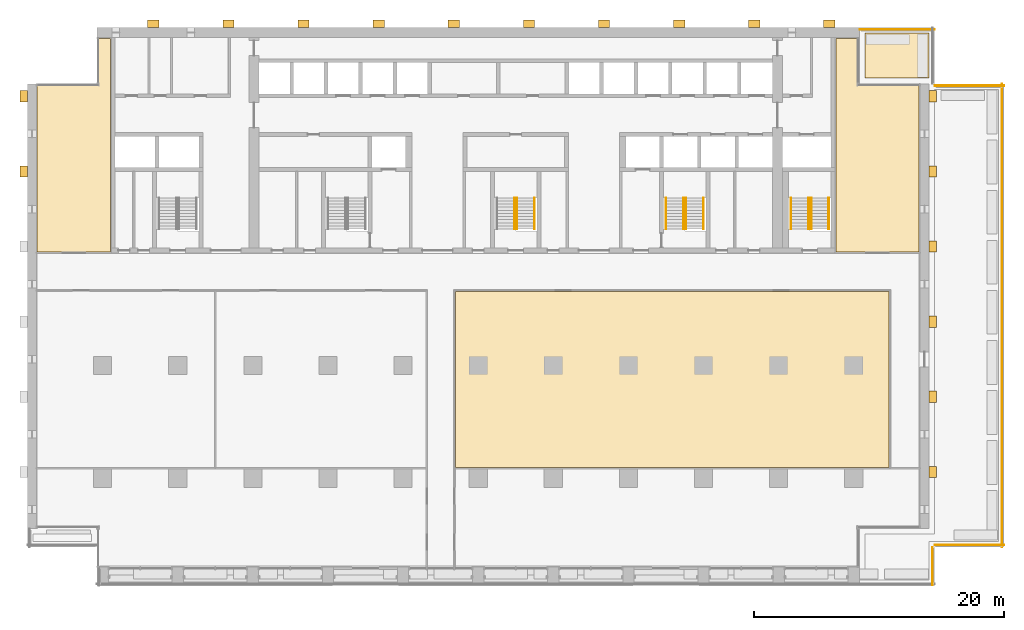
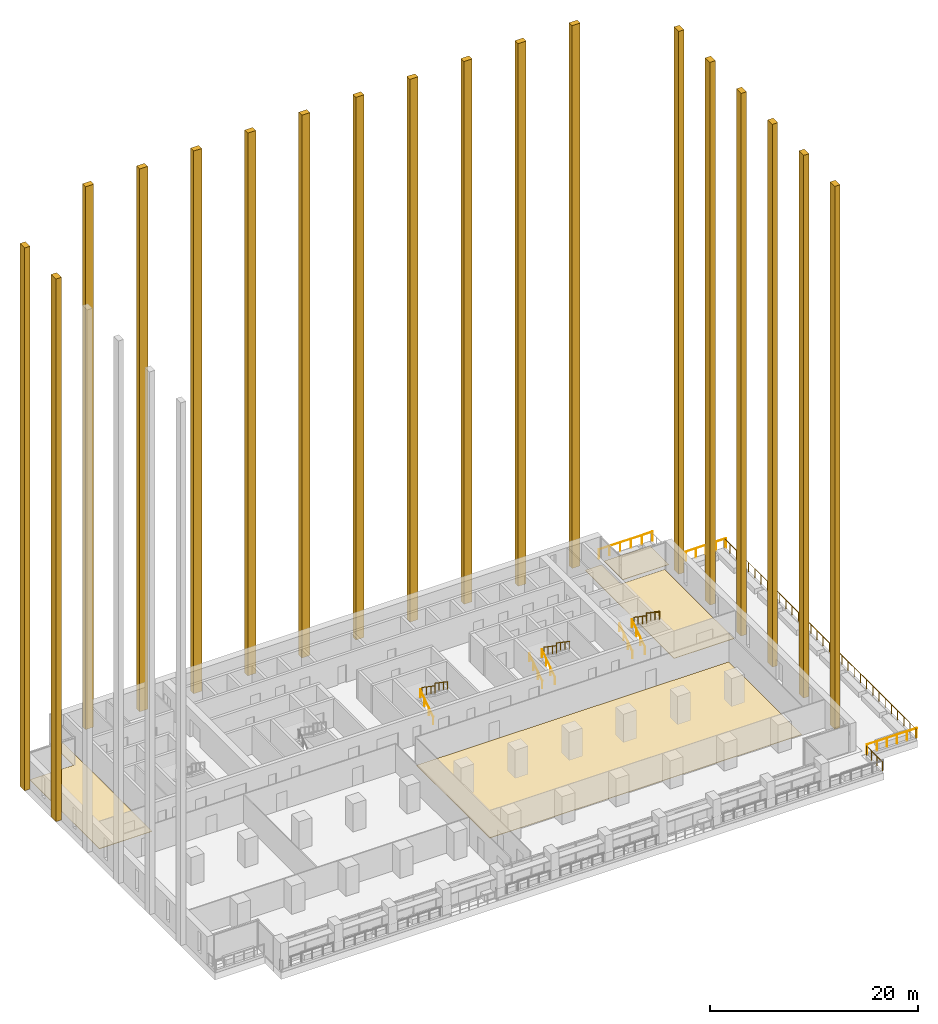
# One storey, part 16 of 18: 22 coverings, 16 railings, 3 elements without a shape of their own.
"""IFC4 building model written with IfcOpenShell, lengths in metres."""

import ifcopenshell
import ifcopenshell.guid

model = None  # the IFC model being written
_history = None  # IfcOwnerHistory: only IFC2X3 demands one
_inside = {}  # id of a spatial element -> (the spatial element, [elements in it])
_under = {}  # id of a project, library or spatial element -> (it, [spatial elements below it])
_declared = {}  # id of a project -> (the project, [libraries it declares])
_typed = {}  # id of a type object -> (the type object, [elements of that type])
_made_of = {}  # id of a material, layer set ... -> (it, [elements and type objects made of it])


def new_model(schema):
    """Start an empty IFC model of exactly this schema.

    Asked for "IFC4X3", IfcOpenShell would pick the latest addendum, in which some entities
    have other attributes; the version numbers below select the first issue.
    IFC2X3 requires an IfcOwnerHistory on every rooted entity: one is made here for all.
    """
    global model, _history
    if schema == "IFC4X3":
        model = ifcopenshell.file(schema_version=(4, 3, 0, 0))
    else:
        model = ifcopenshell.file(schema=schema)
    _inside.clear()
    _under.clear()
    _declared.clear()
    _typed.clear()
    _made_of.clear()
    _history = None
    if model.schema == "IFC2X3":
        org = make("IfcOrganization", Name="unknown")
        user = make(
            "IfcPersonAndOrganization",
            ThePerson=make("IfcPerson", FamilyName="unknown"),
            TheOrganization=org,
        )
        app = make(
            "IfcApplication",
            ApplicationDeveloper=org,
            Version="unknown",
            ApplicationFullName="unknown",
            ApplicationIdentifier="unknown",
        )
        _history = make(
            "IfcOwnerHistory",
            OwningUser=user,
            OwningApplication=app,
            ChangeAction="ADDED",
            CreationDate=0,
        )
    return model


def make(cls, **values):
    """One entity of the class cls with the attributes given. An attribute that is None is left unset."""
    return model.create_entity(
        cls, **{name: value for name, value in values.items() if value is not None}
    )


def rooted(cls, **values):
    """An entity with a GlobalId (a new one), such as an element, a storey or a relation."""
    return make(cls, GlobalId=ifcopenshell.guid.new(), OwnerHistory=_history, **values)


def si_unit(unit_type, name, prefix=None):
    """IfcSIUnit, for example si_unit("LENGTHUNIT", "METRE", prefix="MILLI")."""
    return make("IfcSIUnit", UnitType=unit_type, Prefix=prefix, Name=name)


def assignment(units):
    """IfcUnitAssignment: the units of a project."""
    return None if units is None else make("IfcUnitAssignment", Units=units)


def point(xyz):
    """IfcCartesianPoint."""
    return None if xyz is None else make("IfcCartesianPoint", Coordinates=xyz)


def direction(xyz):
    """IfcDirection."""
    return None if xyz is None else make("IfcDirection", DirectionRatios=xyz)


def frame(location, z_axis=None, x_axis=None):
    """IfcAxis2Placement3D, a coordinate frame: its origin and axes. An axis left out is left unset."""
    return make(
        "IfcAxis2Placement3D",
        Location=point(location),
        Axis=direction(z_axis),
        RefDirection=direction(x_axis),
    )


def frame_2d(location, x_axis=None):
    """IfcAxis2Placement2D, a coordinate frame in the plane: its origin and x axis."""
    return make(
        "IfcAxis2Placement2D", Location=point(location), RefDirection=direction(x_axis)
    )


def origin():
    """The frame at (0, 0, 0) with its axes left unset."""
    return frame((0.0, 0.0, 0.0))


def origin_2d():
    """The frame at (0, 0) in the plane with its x axis left unset."""
    return frame_2d((0.0, 0.0))


def place(relative_to, where):
    """IfcLocalPlacement: puts the frame where relative to a parent placement (None: the world)."""
    return make(
        "IfcLocalPlacement", PlacementRelTo=relative_to, RelativePlacement=where
    )


def context(
    kind, dimensions, precision=None, world=None, true_north=None, identifier=None
):
    """IfcGeometricRepresentationContext, for example the 3D "Model" context."""
    return make(
        "IfcGeometricRepresentationContext",
        ContextIdentifier=identifier,
        ContextType=kind,
        CoordinateSpaceDimension=dimensions,
        Precision=precision,
        WorldCoordinateSystem=world,
        TrueNorth=true_north,
    )


def subcontext(parent, identifier, kind, view, scale=None):
    """IfcGeometricRepresentationSubContext, for example "Body" below "Model"."""
    return make(
        "IfcGeometricRepresentationSubContext",
        ContextIdentifier=identifier,
        ContextType=kind,
        ParentContext=parent,
        TargetScale=scale,
        TargetView=view,
    )


def project(units=None, contexts=None):
    """IfcProject with its units and contexts."""
    return rooted(
        "IfcProject",
        Name="project",
        RepresentationContexts=contexts,
        UnitsInContext=assignment(units),
    )


def spatial(cls, under=None, at=None, **own):
    """A site, building, storey or space (cls), placed at a placement, below another one or the project."""
    s = rooted(cls, ObjectPlacement=at, **own)
    if under is not None:
        _under.setdefault(under.id(), (under, []))[1].append(s)
    return s


def polyline(points):
    """IfcPolyline through the points."""
    return make("IfcPolyline", Points=[point(p) for p in points])


def profile(cls, at=None, kind="AREA", **sizes):
    """A parametric profile (cls). Its sizes go by their IFC names, for example OverallWidth=200.0."""
    return make(cls, ProfileType=kind, Position=at, **sizes)


def circle(**sizes):
    """IfcCircleProfileDef."""
    return profile("IfcCircleProfileDef", **sizes)


def outline(outer, holes=None, kind="AREA"):
    """IfcArbitraryClosedProfileDef: a profile drawn as a closed curve; with holes, ...WithVoids."""
    if holes is None:
        return make("IfcArbitraryClosedProfileDef", ProfileType=kind, OuterCurve=outer)
    return make(
        "IfcArbitraryProfileDefWithVoids",
        ProfileType=kind,
        OuterCurve=outer,
        InnerCurves=holes,
    )


def extrude(swept, where, along, depth):
    """IfcExtrudedAreaSolid: the profile swept, set in the frame where, extruded along a direction by depth."""
    return make(
        "IfcExtrudedAreaSolid",
        SweptArea=swept,
        Position=where,
        ExtrudedDirection=direction(along),
        Depth=depth,
    )


def shape(context_of_items, identifier, shape_type, items):
    """IfcShapeRepresentation: the items that make up one representation, for example the "Body"."""
    return make(
        "IfcShapeRepresentation",
        ContextOfItems=context_of_items,
        RepresentationIdentifier=identifier,
        RepresentationType=shape_type,
        Items=items,
    )


def material(Name=None, Category=None):
    """IfcMaterial."""
    return make("IfcMaterial", Name=Name, Category=Category)


def layer(
    of_material, thickness, ventilated=None, Name=None, Category=None, Priority=None
):
    """IfcMaterialLayer: one layer of a wall or slab, of a material (None: an air gap)."""
    return make(
        "IfcMaterialLayer",
        Material=of_material,
        LayerThickness=thickness,
        IsVentilated=ventilated,
        Name=Name,
        Category=Category,
        Priority=Priority,
    )


def layer_set(layers, Name=None):
    """IfcMaterialLayerSet."""
    return make("IfcMaterialLayerSet", MaterialLayers=layers, LayerSetName=Name)


def made_of(thing, what):
    """Note that an element or type object is made of a material, layer set ...; save() writes the relation."""
    if what is not None:
        _made_of.setdefault(what.id(), (what, []))[1].append(thing)
    return thing


def type_object(cls, material=None, **own):
    """A type object (cls), such as IfcWallType, which elements share."""
    return made_of(rooted(cls, **own), material)


def element(
    cls,
    number,
    at=None,
    inside=None,
    cuts=None,
    type_object=None,
    material=None,
    context=None,
    identifier="Body",
    shape_type=None,
    held_by="IfcProductDefinitionShape",
    body=None,
    shapes=None,
    **own,
):
    """One element of the class cls, such as IfcWall. Its Tag is "e" and its number.

    at: its placement. inside: the storey or other place that contains it. cuts: it is an
    opening in that element (IfcRelVoidsElement). A single representation is given by context,
    identifier, shape_type and body (its items); several are given by shapes. held_by: the class
    of the entity that holds the representations. save() writes the other relations.
    """
    e = rooted(cls, Tag="e%d" % number, ObjectPlacement=at, **own)
    if body is not None:
        shapes = [shape(context, identifier, shape_type, body)]
    if shapes is not None:
        e.Representation = make(held_by, Representations=shapes)
    if inside is not None:
        _inside.setdefault(inside.id(), (inside, []))[1].append(e)
    if cuts is not None:
        rooted(
            "IfcRelVoidsElement", RelatingBuildingElement=cuts, RelatedOpeningElement=e
        )
    if type_object is not None:
        _typed.setdefault(type_object.id(), (type_object, []))[1].append(e)
    return made_of(e, material)


def aggregate(whole, parts):
    """IfcRelAggregates: a whole, such as a stair, and the parts it consists of."""
    return rooted("IfcRelAggregates", RelatingObject=whole, RelatedObjects=parts)


def save(model, path):
    """Write the relations noted so far, then the file.

    IfcRelAggregates (storeys below a building ...), IfcRelContainedInSpatialStructure (elements
    in a storey), IfcRelDefinesByType, IfcRelAssociatesMaterial and IfcRelDeclares: one each for
    every whole, place, type object, material and project.
    """
    for whole, parts in _under.values():
        aggregate(whole, parts)
    for where, things in _inside.values():
        rooted(
            "IfcRelContainedInSpatialStructure",
            RelatedElements=things,
            RelatingStructure=where,
        )
    for kind, things in _typed.values():
        rooted("IfcRelDefinesByType", RelatedObjects=things, RelatingType=kind)
    for what, things in _made_of.values():
        rooted("IfcRelAssociatesMaterial", RelatedObjects=things, RelatingMaterial=what)
    for by, libraries in _declared.values():
        rooted("IfcRelDeclares", RelatingContext=by, RelatedDefinitions=libraries)
    model.write(path)


model = new_model("IFC4")

# Units and contexts
model_context = context("Model", 3, precision=1e-05, world=origin(), true_north=direction((0.0, 1.0)))
body_context = subcontext(model_context, "Body", "Model", "MODEL_VIEW")
ifc_project = project(units=[si_unit("LENGTHUNIT", "METRE"), si_unit("AREAUNIT", "SQUARE_METRE"), si_unit("VOLUMEUNIT", "CUBIC_METRE"), si_unit("PLANEANGLEUNIT", "RADIAN"), si_unit("MASSUNIT", "GRAM", prefix="KILO")], contexts=[model_context])

# Site, building, storey
site_placement = place(None, origin())
site = spatial("IfcSite", under=ifc_project, at=site_placement, CompositionType="ELEMENT")
building_placement = place(site_placement, origin())
building = spatial("IfcBuilding", under=site, at=building_placement, Name="Calvaro Tower", CompositionType="ELEMENT")
storey_placement = place(building_placement, frame((0.0, 0.0, 95.0)))
storey = spatial("IfcBuildingStorey", under=building, at=storey_placement, Name="L23", CompositionType="ELEMENT", Elevation=95.0)

# Coverings
ifc_material_1 = material(Name="Cement screed with carpet tile finish")
ifc_layer_1 = layer(ifc_material_1, 0.050048828125)
ifc_layer_set_1 = layer_set([ifc_layer_1], Name="Cement screed with carpet tile finish")
covering_type_1 = type_object("IfcCoveringType", Name="Floor finish 50", PredefinedType="FLOORING", material=ifc_layer_set_1)
covering_1_placement = place(storey_placement, origin())
element("IfcCovering", 1, at=covering_1_placement, inside=storey, type_object=covering_type_1, Name="Floor finish 41.06", PredefinedType="FLOORING", context=body_context, shape_type="SweptSolid", body=[
    extrude(outline(polyline([(68.830078125, 24.929931640625), (68.830078125, 10.8701171875), (34.169921875, 10.8701171875), (34.169921875, 24.929931640625), (68.830078125, 24.929931640625)])), origin(), (0.0, 0.0, 1.0), 0.050048828125),
])
covering_2_placement = place(storey_placement, origin())
element("IfcCovering", 2, at=covering_2_placement, inside=storey, type_object=covering_type_1, Name="Floor finish 41.07", PredefinedType="FLOORING", context=body_context, shape_type="SweptSolid", body=[
    extrude(outline(polyline([(5.6201171875, 41.429931640625), (5.6201171875, 45.1298828125), (6.6298828125, 45.1298828125), (6.6298828125, 28.070068359375), (0.77001953125, 28.070068359375), (0.77001953125, 41.429931640625), (5.6201171875, 41.429931640625)])), origin(), (0.0, 0.0, 1.0), 0.050048828125),
])
covering_3_placement = place(storey_placement, origin())
element("IfcCovering", 3, at=covering_3_placement, inside=storey, type_object=covering_type_1, Name="Floor finish 41.08", PredefinedType="FLOORING", context=body_context, shape_type="SweptSolid", body=[
    extrude(outline(polyline([(66.3798828125, 45.1298828125), (66.3798828125, 41.429931640625), (71.22998046875, 41.429931640625), (71.22998046875, 28.070068359375), (64.570068359375, 28.070068359375), (64.570068359375, 45.1298828125), (66.3798828125, 45.1298828125)])), origin(), (0.0, 0.0, 1.0), 0.050048828125),
])

# Railings
ifc_material_2 = material(Name="Stainless steel", Category="steel")
railing_type_1 = type_object("IfcRailingType", Name="Guard 1100", PredefinedType="GUARDRAIL", material=ifc_material_2)
railing_1_placement = place(storey_placement, frame((66.469970703125, 45.85009765625, 0.300048828125)))
element("IfcRailing", 4, at=railing_1_placement, inside=storey, type_object=railing_type_1, Name="Terrace guard", PredefinedType="GUARDRAIL", context=body_context, shape_type="SweptSolid", body=[
    extrude(circle(Radius=0.02392578125, at=origin_2d()), frame((0.0, 0.0, 1.076171875), z_axis=(1.0, 0.0, 0.0), x_axis=(0.0, 1.0, 0.0)), (0.0, 0.0, 1.0), 5.97998046875),
    extrude(circle(Radius=0.02099609375, at=origin_2d()), frame((0.02099609375, 0.0, 0.0)), (0.0, 0.0, 1.0), 1.052001953125),
    extrude(circle(Radius=0.02099609375, at=origin_2d()), frame((1.196044921875, 0.0, 0.0)), (0.0, 0.0, 1.0), 1.052001953125),
    extrude(circle(Radius=0.02099609375, at=origin_2d()), frame((2.39208984375, 0.0, 0.0)), (0.0, 0.0, 1.0), 1.052001953125),
    extrude(circle(Radius=0.02099609375, at=origin_2d()), frame((3.587890625, 0.0, 0.0)), (0.0, 0.0, 1.0), 1.052001953125),
    extrude(circle(Radius=0.02099609375, at=origin_2d()), frame((4.783935546875, 0.0, 0.0)), (0.0, 0.0, 1.0), 1.052001953125),
    extrude(circle(Radius=0.02099609375, at=origin_2d()), frame((5.958984375, 0.0, 0.0)), (0.0, 0.0, 1.0), 1.052001953125),
])
railing_2_placement = place(storey_placement, frame((72.449951171875, 41.35009765625, 0.300048828125)))
element("IfcRailing", 5, at=railing_2_placement, inside=storey, type_object=railing_type_1, Name="Terrace guard", PredefinedType="GUARDRAIL", context=body_context, shape_type="SweptSolid", body=[
    extrude(circle(Radius=0.02392578125, at=origin_2d()), frame((0.0, 0.0, 1.076171875), z_axis=(1.0, 0.0, 0.0), x_axis=(0.0, 1.0, 0.0)), (0.0, 0.0, 1.0), 5.550048828125),
    extrude(circle(Radius=0.02099609375, at=origin_2d()), frame((0.02099609375, 0.0, 0.0)), (0.0, 0.0, 1.0), 1.052001953125),
    extrude(circle(Radius=0.02099609375, at=origin_2d()), frame((1.110107421875, 0.0, 0.0)), (0.0, 0.0, 1.0), 1.052001953125),
    extrude(circle(Radius=0.02099609375, at=origin_2d()), frame((2.219970703125, 0.0, 0.0)), (0.0, 0.0, 1.0), 1.052001953125),
    extrude(circle(Radius=0.02099609375, at=origin_2d()), frame((3.330078125, 0.0, 0.0)), (0.0, 0.0, 1.0), 1.052001953125),
    extrude(circle(Radius=0.02099609375, at=origin_2d()), frame((4.43994140625, 0.0, 0.0)), (0.0, 0.0, 1.0), 1.052001953125),
    extrude(circle(Radius=0.02099609375, at=origin_2d()), frame((5.529052734375, 0.0, 0.0)), (0.0, 0.0, 1.0), 1.052001953125),
])
railing_3_placement = place(storey_placement, frame((77.85009765625, 41.5, 0.300048828125)))
element("IfcRailing", 6, at=railing_3_placement, inside=storey, type_object=railing_type_1, Name="Terrace guard", PredefinedType="GUARDRAIL", context=body_context, shape_type="SweptSolid", body=[
    extrude(circle(Radius=0.02392578125, at=origin_2d()), frame((0.0, 0.0, 1.076171875), z_axis=(0.0, -1.0, 0.0), x_axis=(1.0, 0.0, 0.0)), (0.0, 0.0, 1.0), 37.0),
    extrude(circle(Radius=0.02099609375, at=origin_2d()), frame((0.0, -0.02099609375, 0.0)), (0.0, 0.0, 1.0), 1.052001953125),
    extrude(circle(Radius=0.02099609375, at=origin_2d()), frame((0.0, -1.193603515625, 0.0)), (0.0, 0.0, 1.0), 1.052001953125),
    extrude(circle(Radius=0.02099609375, at=origin_2d()), frame((0.0, -2.38720703125, 0.0)), (0.0, 0.0, 1.0), 1.052001953125),
    extrude(circle(Radius=0.02099609375, at=origin_2d()), frame((0.0, -3.58056640625, 0.0)), (0.0, 0.0, 1.0), 1.052001953125),
    extrude(circle(Radius=0.02099609375, at=origin_2d()), frame((0.0, -4.774169921875, 0.0)), (0.0, 0.0, 1.0), 1.052001953125),
    extrude(circle(Radius=0.02099609375, at=origin_2d()), frame((0.0, -5.9677734375, 0.0)), (0.0, 0.0, 1.0), 1.052001953125),
    extrude(circle(Radius=0.02099609375, at=origin_2d()), frame((0.0, -7.161376953125, 0.0)), (0.0, 0.0, 1.0), 1.052001953125),
    extrude(circle(Radius=0.02099609375, at=origin_2d()), frame((0.0, -8.354736328125, 0.0)), (0.0, 0.0, 1.0), 1.052001953125),
    extrude(circle(Radius=0.02099609375, at=origin_2d()), frame((0.0, -9.54833984375, 0.0)), (0.0, 0.0, 1.0), 1.052001953125),
    extrude(circle(Radius=0.02099609375, at=origin_2d()), frame((0.0, -10.741943359375, 0.0)), (0.0, 0.0, 1.0), 1.052001953125),
    extrude(circle(Radius=0.02099609375, at=origin_2d()), frame((0.0, -11.935546875, 0.0)), (0.0, 0.0, 1.0), 1.052001953125),
    extrude(circle(Radius=0.02099609375, at=origin_2d()), frame((0.0, -13.129150390625, 0.0)), (0.0, 0.0, 1.0), 1.052001953125),
    extrude(circle(Radius=0.02099609375, at=origin_2d()), frame((0.0, -14.322509765625, 0.0)), (0.0, 0.0, 1.0), 1.052001953125),
    extrude(circle(Radius=0.02099609375, at=origin_2d()), frame((0.0, -15.51611328125, 0.0)), (0.0, 0.0, 1.0), 1.052001953125),
    extrude(circle(Radius=0.02099609375, at=origin_2d()), frame((0.0, -16.709716796875, 0.0)), (0.0, 0.0, 1.0), 1.052001953125),
    extrude(circle(Radius=0.02099609375, at=origin_2d()), frame((0.0, -17.9033203125, 0.0)), (0.0, 0.0, 1.0), 1.052001953125),
    extrude(circle(Radius=0.02099609375, at=origin_2d()), frame((0.0, -19.0966796875, 0.0)), (0.0, 0.0, 1.0), 1.052001953125),
    extrude(circle(Radius=0.02099609375, at=origin_2d()), frame((0.0, -20.290283203125, 0.0)), (0.0, 0.0, 1.0), 1.052001953125),
    extrude(circle(Radius=0.02099609375, at=origin_2d()), frame((0.0, -21.48388671875, 0.0)), (0.0, 0.0, 1.0), 1.052001953125),
    extrude(circle(Radius=0.02099609375, at=origin_2d()), frame((0.0, -22.677490234375, 0.0)), (0.0, 0.0, 1.0), 1.052001953125),
    extrude(circle(Radius=0.02099609375, at=origin_2d()), frame((0.0, -23.870849609375, 0.0)), (0.0, 0.0, 1.0), 1.052001953125),
    extrude(circle(Radius=0.02099609375, at=origin_2d()), frame((0.0, -25.064453125, 0.0)), (0.0, 0.0, 1.0), 1.052001953125),
    extrude(circle(Radius=0.02099609375, at=origin_2d()), frame((0.0, -26.258056640625, 0.0)), (0.0, 0.0, 1.0), 1.052001953125),
    extrude(circle(Radius=0.02099609375, at=origin_2d()), frame((0.0, -27.45166015625, 0.0)), (0.0, 0.0, 1.0), 1.052001953125),
    extrude(circle(Radius=0.02099609375, at=origin_2d()), frame((0.0, -28.645263671875, 0.0)), (0.0, 0.0, 1.0), 1.052001953125),
    extrude(circle(Radius=0.02099609375, at=origin_2d()), frame((0.0, -29.838623046875, 0.0)), (0.0, 0.0, 1.0), 1.052001953125),
    extrude(circle(Radius=0.02099609375, at=origin_2d()), frame((0.0, -31.0322265625, 0.0)), (0.0, 0.0, 1.0), 1.052001953125),
    extrude(circle(Radius=0.02099609375, at=origin_2d()), frame((0.0, -32.225830078125, 0.0)), (0.0, 0.0, 1.0), 1.052001953125),
    extrude(circle(Radius=0.02099609375, at=origin_2d()), frame((0.0, -33.41943359375, 0.0)), (0.0, 0.0, 1.0), 1.052001953125),
    extrude(circle(Radius=0.02099609375, at=origin_2d()), frame((0.0, -34.61279296875, 0.0)), (0.0, 0.0, 1.0), 1.052001953125),
    extrude(circle(Radius=0.02099609375, at=origin_2d()), frame((0.0, -35.806396484375, 0.0)), (0.0, 0.0, 1.0), 1.052001953125),
    extrude(circle(Radius=0.02099609375, at=origin_2d()), frame((0.0, -36.97900390625, 0.0)), (0.0, 0.0, 1.0), 1.052001953125),
])
railing_4_placement = place(storey_placement, frame((78.0, 4.64990234375, 0.300048828125)))
element("IfcRailing", 7, at=railing_4_placement, inside=storey, type_object=railing_type_1, Name="Terrace guard", PredefinedType="GUARDRAIL", context=body_context, shape_type="SweptSolid", body=[
    extrude(circle(Radius=0.02392578125, at=origin_2d()), frame((0.0, 0.0, 1.076171875), z_axis=(-1.0, 0.0, 0.0), x_axis=(0.0, -1.0, 0.0)), (0.0, 0.0, 1.0), 5.550048828125),
    extrude(circle(Radius=0.02099609375, at=origin_2d()), frame((-0.02099609375, 0.0, 0.0)), (0.0, 0.0, 1.0), 1.052001953125),
    extrude(circle(Radius=0.02099609375, at=origin_2d()), frame((-1.110107421875, 0.0, 0.0)), (0.0, 0.0, 1.0), 1.052001953125),
    extrude(circle(Radius=0.02099609375, at=origin_2d()), frame((-2.219970703125, 0.0, 0.0)), (0.0, 0.0, 1.0), 1.052001953125),
    extrude(circle(Radius=0.02099609375, at=origin_2d()), frame((-3.330078125, 0.0, 0.0)), (0.0, 0.0, 1.0), 1.052001953125),
    extrude(circle(Radius=0.02099609375, at=origin_2d()), frame((-4.43994140625, 0.0, 0.0)), (0.0, 0.0, 1.0), 1.052001953125),
    extrude(circle(Radius=0.02099609375, at=origin_2d()), frame((-5.529052734375, 0.0, 0.0)), (0.0, 0.0, 1.0), 1.052001953125),
])
railing_5_placement = place(storey_placement, frame((72.300048828125, 4.5, 0.300048828125)))
element("IfcRailing", 8, at=railing_5_placement, inside=storey, type_object=railing_type_1, Name="Terrace guard", PredefinedType="GUARDRAIL", context=body_context, shape_type="SweptSolid", body=[
    extrude(circle(Radius=0.02392578125, at=origin_2d()), frame((0.0, 0.0, 1.076171875), z_axis=(0.0, -1.0, 0.0), x_axis=(1.0, 0.0, 0.0)), (0.0, 0.0, 1.0), 3.10009765625),
    extrude(circle(Radius=0.02099609375, at=origin_2d()), frame((0.0, -0.02099609375, 0.0)), (0.0, 0.0, 1.0), 1.052001953125),
    extrude(circle(Radius=0.02099609375, at=origin_2d()), frame((0.0, -1.033447265625, 0.0)), (0.0, 0.0, 1.0), 1.052001953125),
    extrude(circle(Radius=0.02099609375, at=origin_2d()), frame((0.0, -2.066650390625, 0.0)), (0.0, 0.0, 1.0), 1.052001953125),
    extrude(circle(Radius=0.02099609375, at=origin_2d()), frame((0.0, -3.0791015625, 0.0)), (0.0, 0.0, 1.0), 1.052001953125),
])

# Stair, railings
ifc_material_3 = material(Name="Concrete C40/50", Category="concrete")
stair_type = type_object("IfcStairType", Name="Exit stair 1400 2 flights", PredefinedType="HALF_TURN_STAIR", material=ifc_material_3)
stair_1_placement = place(storey_placement, origin())
stair_1 = element("IfcStair", 9, at=stair_1_placement, inside=storey, type_object=stair_type, Name="Exit stair S3", PredefinedType="HALF_TURN_STAIR")
ifc_material_4 = material(Name="Stainless steel", Category="steel")
railing_type_2 = type_object("IfcRailingType", Name="Stair handrail", PredefinedType="HANDRAIL", material=ifc_material_4)
railing_6_placement = place(storey_placement, frame((38.89990234375, 29.89990234375, 0.17041015625)))
railing_6 = element("IfcRailing", 10, at=railing_6_placement, type_object=railing_type_2, Name="Exit stair 3 handrail", PredefinedType="HANDRAIL", context=body_context, shape_type="SweptSolid", body=[
    extrude(circle(Radius=0.02392578125, at=origin_2d()), frame((0.0, 0.0, 0.8759765625), z_axis=(0.0, 0.826220514629, 0.563346839174), x_axis=(-1.0, 0.0, 0.0)), (0.0, 0.0, 1.0), 3.02587890625),
    extrude(circle(Radius=0.02099609375, at=origin_2d()), frame((0.0, 0.017333984375, 0.01171875)), (0.0, 0.0, 1.0), 0.851806640625),
    extrude(circle(Radius=0.02099609375, at=origin_2d()), frame((0.0, 0.833251953125, 0.568115234375)), (0.0, 0.0, 1.0), 0.851806640625),
    extrude(circle(Radius=0.02099609375, at=origin_2d()), frame((0.0, 1.666748046875, 1.136474609375)), (0.0, 0.0, 1.0), 0.851806640625),
    extrude(circle(Radius=0.02099609375, at=origin_2d()), frame((0.0, 2.482666015625, 1.69287109375)), (0.0, 0.0, 1.0), 0.851806640625),
])
railing_7_placement = place(storey_placement, frame((39.10009765625, 32.39990234375, 2.04541015625)))
railing_7 = element("IfcRailing", 11, at=railing_7_placement, type_object=railing_type_2, Name="Exit stair 3 handrail", PredefinedType="HANDRAIL", context=body_context, shape_type="SweptSolid", body=[
    extrude(circle(Radius=0.02392578125, at=origin_2d()), frame((0.0, 0.0, 0.8759765625), z_axis=(0.0, -0.826220514629, 0.563346839174), x_axis=(1.0, 0.0, 0.0)), (0.0, 0.0, 1.0), 3.02587890625),
    extrude(circle(Radius=0.02099609375, at=origin_2d()), frame((0.0, -0.017333984375, 0.01171875)), (0.0, 0.0, 1.0), 0.851806640625),
    extrude(circle(Radius=0.02099609375, at=origin_2d()), frame((0.0, -0.833251953125, 0.568115234375)), (0.0, 0.0, 1.0), 0.851806640625),
    extrude(circle(Radius=0.02099609375, at=origin_2d()), frame((0.0, -1.666748046875, 1.136474609375)), (0.0, 0.0, 1.0), 0.851806640625),
    extrude(circle(Radius=0.02099609375, at=origin_2d()), frame((0.0, -2.482666015625, 1.69287109375)), (0.0, 0.0, 1.0), 0.851806640625),
])
railing_8_placement = place(storey_placement, frame((40.5, 32.39990234375, 2.04541015625)))
railing_8 = element("IfcRailing", 12, at=railing_8_placement, type_object=railing_type_2, Name="Exit stair 3 handrail", PredefinedType="HANDRAIL", context=body_context, shape_type="SweptSolid", body=[
    extrude(circle(Radius=0.02392578125, at=origin_2d()), frame((0.0, 0.0, 0.8759765625), z_axis=(0.0, -0.826220514629, 0.563346839174), x_axis=(1.0, 0.0, 0.0)), (0.0, 0.0, 1.0), 3.02587890625),
    extrude(circle(Radius=0.02099609375, at=origin_2d()), frame((0.0, -0.017333984375, 0.01171875)), (0.0, 0.0, 1.0), 0.851806640625),
    extrude(circle(Radius=0.02099609375, at=origin_2d()), frame((0.0, -0.833251953125, 0.568115234375)), (0.0, 0.0, 1.0), 0.851806640625),
    extrude(circle(Radius=0.02099609375, at=origin_2d()), frame((0.0, -1.666748046875, 1.136474609375)), (0.0, 0.0, 1.0), 0.851806640625),
    extrude(circle(Radius=0.02099609375, at=origin_2d()), frame((0.0, -2.482666015625, 1.69287109375)), (0.0, 0.0, 1.0), 0.851806640625),
])
aggregate(stair_1, [railing_6, railing_7, railing_8])

stair_2_placement = place(storey_placement, origin())
stair_2 = element("IfcStair", 13, at=stair_2_placement, inside=storey, type_object=stair_type, Name="Exit stair S4", PredefinedType="HALF_TURN_STAIR")
railing_9_placement = place(storey_placement, frame((52.39990234375, 29.89990234375, 0.17041015625)))
railing_9 = element("IfcRailing", 14, at=railing_9_placement, type_object=railing_type_2, Name="Exit stair 4 handrail", PredefinedType="HANDRAIL", context=body_context, shape_type="SweptSolid", body=[
    extrude(circle(Radius=0.02392578125, at=origin_2d()), frame((0.0, 0.0, 0.8759765625), z_axis=(0.0, 0.826220514629, 0.563346839174), x_axis=(-1.0, 0.0, 0.0)), (0.0, 0.0, 1.0), 3.02587890625),
    extrude(circle(Radius=0.02099609375, at=origin_2d()), frame((0.0, 0.017333984375, 0.01171875)), (0.0, 0.0, 1.0), 0.851806640625),
    extrude(circle(Radius=0.02099609375, at=origin_2d()), frame((0.0, 0.833251953125, 0.568115234375)), (0.0, 0.0, 1.0), 0.851806640625),
    extrude(circle(Radius=0.02099609375, at=origin_2d()), frame((0.0, 1.666748046875, 1.136474609375)), (0.0, 0.0, 1.0), 0.851806640625),
    extrude(circle(Radius=0.02099609375, at=origin_2d()), frame((0.0, 2.482666015625, 1.69287109375)), (0.0, 0.0, 1.0), 0.851806640625),
])
railing_10_placement = place(storey_placement, frame((51.0, 29.89990234375, 0.17041015625)))
railing_10 = element("IfcRailing", 15, at=railing_10_placement, type_object=railing_type_2, Name="Exit stair 4 handrail", PredefinedType="HANDRAIL", context=body_context, shape_type="SweptSolid", body=[
    extrude(circle(Radius=0.02392578125, at=origin_2d()), frame((0.0, 0.0, 0.8759765625), z_axis=(0.0, 0.826220514629, 0.563346839174), x_axis=(-1.0, 0.0, 0.0)), (0.0, 0.0, 1.0), 3.02587890625),
    extrude(circle(Radius=0.02099609375, at=origin_2d()), frame((0.0, 0.017333984375, 0.01171875)), (0.0, 0.0, 1.0), 0.851806640625),
    extrude(circle(Radius=0.02099609375, at=origin_2d()), frame((0.0, 0.833251953125, 0.568115234375)), (0.0, 0.0, 1.0), 0.851806640625),
    extrude(circle(Radius=0.02099609375, at=origin_2d()), frame((0.0, 1.666748046875, 1.136474609375)), (0.0, 0.0, 1.0), 0.851806640625),
    extrude(circle(Radius=0.02099609375, at=origin_2d()), frame((0.0, 2.482666015625, 1.69287109375)), (0.0, 0.0, 1.0), 0.851806640625),
])
railing_11_placement = place(storey_placement, frame((52.60009765625, 32.39990234375, 2.04541015625)))
railing_11 = element("IfcRailing", 16, at=railing_11_placement, type_object=railing_type_2, Name="Exit stair 4 handrail", PredefinedType="HANDRAIL", context=body_context, shape_type="SweptSolid", body=[
    extrude(circle(Radius=0.02392578125, at=origin_2d()), frame((0.0, 0.0, 0.8759765625), z_axis=(0.0, -0.826220514629, 0.563346839174), x_axis=(1.0, 0.0, 0.0)), (0.0, 0.0, 1.0), 3.02587890625),
    extrude(circle(Radius=0.02099609375, at=origin_2d()), frame((0.0, -0.017333984375, 0.01171875)), (0.0, 0.0, 1.0), 0.851806640625),
    extrude(circle(Radius=0.02099609375, at=origin_2d()), frame((0.0, -0.833251953125, 0.568115234375)), (0.0, 0.0, 1.0), 0.851806640625),
    extrude(circle(Radius=0.02099609375, at=origin_2d()), frame((0.0, -1.666748046875, 1.136474609375)), (0.0, 0.0, 1.0), 0.851806640625),
    extrude(circle(Radius=0.02099609375, at=origin_2d()), frame((0.0, -2.482666015625, 1.69287109375)), (0.0, 0.0, 1.0), 0.851806640625),
])
railing_12_placement = place(storey_placement, frame((54.0, 32.39990234375, 2.04541015625)))
railing_12 = element("IfcRailing", 17, at=railing_12_placement, type_object=railing_type_2, Name="Exit stair 4 handrail", PredefinedType="HANDRAIL", context=body_context, shape_type="SweptSolid", body=[
    extrude(circle(Radius=0.02392578125, at=origin_2d()), frame((0.0, 0.0, 0.8759765625), z_axis=(0.0, -0.826220514629, 0.563346839174), x_axis=(1.0, 0.0, 0.0)), (0.0, 0.0, 1.0), 3.02587890625),
    extrude(circle(Radius=0.02099609375, at=origin_2d()), frame((0.0, -0.017333984375, 0.01171875)), (0.0, 0.0, 1.0), 0.851806640625),
    extrude(circle(Radius=0.02099609375, at=origin_2d()), frame((0.0, -0.833251953125, 0.568115234375)), (0.0, 0.0, 1.0), 0.851806640625),
    extrude(circle(Radius=0.02099609375, at=origin_2d()), frame((0.0, -1.666748046875, 1.136474609375)), (0.0, 0.0, 1.0), 0.851806640625),
    extrude(circle(Radius=0.02099609375, at=origin_2d()), frame((0.0, -2.482666015625, 1.69287109375)), (0.0, 0.0, 1.0), 0.851806640625),
])
aggregate(stair_2, [railing_9, railing_10, railing_11, railing_12])

stair_3_placement = place(storey_placement, origin())
stair_3 = element("IfcStair", 18, at=stair_3_placement, inside=storey, type_object=stair_type, Name="Exit stair S5", PredefinedType="HALF_TURN_STAIR")
railing_13_placement = place(storey_placement, frame((62.39990234375, 29.89990234375, 0.17041015625)))
railing_13 = element("IfcRailing", 19, at=railing_13_placement, type_object=railing_type_2, Name="Exit stair 5 handrail", PredefinedType="HANDRAIL", context=body_context, shape_type="SweptSolid", body=[
    extrude(circle(Radius=0.02392578125, at=origin_2d()), frame((0.0, 0.0, 0.8759765625), z_axis=(0.0, 0.826220514629, 0.563346839174), x_axis=(-1.0, 0.0, 0.0)), (0.0, 0.0, 1.0), 3.02587890625),
    extrude(circle(Radius=0.02099609375, at=origin_2d()), frame((0.0, 0.017333984375, 0.01171875)), (0.0, 0.0, 1.0), 0.851806640625),
    extrude(circle(Radius=0.02099609375, at=origin_2d()), frame((0.0, 0.833251953125, 0.568115234375)), (0.0, 0.0, 1.0), 0.851806640625),
    extrude(circle(Radius=0.02099609375, at=origin_2d()), frame((0.0, 1.666748046875, 1.136474609375)), (0.0, 0.0, 1.0), 0.851806640625),
    extrude(circle(Radius=0.02099609375, at=origin_2d()), frame((0.0, 2.482666015625, 1.69287109375)), (0.0, 0.0, 1.0), 0.851806640625),
])
railing_14_placement = place(storey_placement, frame((61.0, 29.89990234375, 0.17041015625)))
railing_14 = element("IfcRailing", 20, at=railing_14_placement, type_object=railing_type_2, Name="Exit stair 5 handrail", PredefinedType="HANDRAIL", context=body_context, shape_type="SweptSolid", body=[
    extrude(circle(Radius=0.02392578125, at=origin_2d()), frame((0.0, 0.0, 0.8759765625), z_axis=(0.0, 0.826220514629, 0.563346839174), x_axis=(-1.0, 0.0, 0.0)), (0.0, 0.0, 1.0), 3.02587890625),
    extrude(circle(Radius=0.02099609375, at=origin_2d()), frame((0.0, 0.017333984375, 0.01171875)), (0.0, 0.0, 1.0), 0.851806640625),
    extrude(circle(Radius=0.02099609375, at=origin_2d()), frame((0.0, 0.833251953125, 0.568115234375)), (0.0, 0.0, 1.0), 0.851806640625),
    extrude(circle(Radius=0.02099609375, at=origin_2d()), frame((0.0, 1.666748046875, 1.136474609375)), (0.0, 0.0, 1.0), 0.851806640625),
    extrude(circle(Radius=0.02099609375, at=origin_2d()), frame((0.0, 2.482666015625, 1.69287109375)), (0.0, 0.0, 1.0), 0.851806640625),
])
railing_15_placement = place(storey_placement, frame((62.60009765625, 32.39990234375, 2.04541015625)))
railing_15 = element("IfcRailing", 21, at=railing_15_placement, type_object=railing_type_2, Name="Exit stair 5 handrail", PredefinedType="HANDRAIL", context=body_context, shape_type="SweptSolid", body=[
    extrude(circle(Radius=0.02392578125, at=origin_2d()), frame((0.0, 0.0, 0.8759765625), z_axis=(0.0, -0.826220514629, 0.563346839174), x_axis=(1.0, 0.0, 0.0)), (0.0, 0.0, 1.0), 3.02587890625),
    extrude(circle(Radius=0.02099609375, at=origin_2d()), frame((0.0, -0.017333984375, 0.01171875)), (0.0, 0.0, 1.0), 0.851806640625),
    extrude(circle(Radius=0.02099609375, at=origin_2d()), frame((0.0, -0.833251953125, 0.568115234375)), (0.0, 0.0, 1.0), 0.851806640625),
    extrude(circle(Radius=0.02099609375, at=origin_2d()), frame((0.0, -1.666748046875, 1.136474609375)), (0.0, 0.0, 1.0), 0.851806640625),
    extrude(circle(Radius=0.02099609375, at=origin_2d()), frame((0.0, -2.482666015625, 1.69287109375)), (0.0, 0.0, 1.0), 0.851806640625),
])
railing_16_placement = place(storey_placement, frame((64.0, 32.39990234375, 2.04541015625)))
railing_16 = element("IfcRailing", 22, at=railing_16_placement, type_object=railing_type_2, Name="Exit stair 5 handrail", PredefinedType="HANDRAIL", context=body_context, shape_type="SweptSolid", body=[
    extrude(circle(Radius=0.02392578125, at=origin_2d()), frame((0.0, 0.0, 0.8759765625), z_axis=(0.0, -0.826220514629, 0.563346839174), x_axis=(1.0, 0.0, 0.0)), (0.0, 0.0, 1.0), 3.02587890625),
    extrude(circle(Radius=0.02099609375, at=origin_2d()), frame((0.0, -0.017333984375, 0.01171875)), (0.0, 0.0, 1.0), 0.851806640625),
    extrude(circle(Radius=0.02099609375, at=origin_2d()), frame((0.0, -0.833251953125, 0.568115234375)), (0.0, 0.0, 1.0), 0.851806640625),
    extrude(circle(Radius=0.02099609375, at=origin_2d()), frame((0.0, -1.666748046875, 1.136474609375)), (0.0, 0.0, 1.0), 0.851806640625),
    extrude(circle(Radius=0.02099609375, at=origin_2d()), frame((0.0, -2.482666015625, 1.69287109375)), (0.0, 0.0, 1.0), 0.851806640625),
])
aggregate(stair_3, [railing_13, railing_14, railing_15, railing_16])

# Coverings
ifc_material_5 = material(Name="Reconstituted stone", Category="masonry")
ifc_layer_2 = layer(ifc_material_5, 0.60009765625)
ifc_layer_set_2 = layer_set([ifc_layer_2], Name="Reconstituted stone")
covering_type_2 = type_object("IfcCoveringType", Name="Stone pilaster 900 x 600", PredefinedType="CLADDING", material=ifc_layer_set_2)
covering_4_placement = place(storey_placement, frame((0.0, 0.0, 0.050048828125)))
element("IfcCovering", 23, at=covering_4_placement, inside=storey, type_object=covering_type_2, Name="Stone pilaster", PredefinedType="CLADDING", context=body_context, shape_type="SweptSolid", body=[
    extrude(outline(polyline([(9.60009765625, 46.0), (10.5, 46.0), (10.5, 46.60009765625), (9.60009765625, 46.60009765625), (9.60009765625, 46.0)])), origin(), (0.0, 0.0, 1.0), 63.699951171875),
])
covering_5_placement = place(storey_placement, frame((0.0, 0.0, 0.050048828125)))
element("IfcCovering", 24, at=covering_5_placement, inside=storey, type_object=covering_type_2, Name="Stone pilaster", PredefinedType="CLADDING", context=body_context, shape_type="SweptSolid", body=[
    extrude(outline(polyline([(15.60009765625, 46.0), (16.5, 46.0), (16.5, 46.60009765625), (15.60009765625, 46.60009765625), (15.60009765625, 46.0)])), origin(), (0.0, 0.0, 1.0), 63.699951171875),
])
covering_6_placement = place(storey_placement, frame((0.0, 0.0, 0.050048828125)))
element("IfcCovering", 25, at=covering_6_placement, inside=storey, type_object=covering_type_2, Name="Stone pilaster", PredefinedType="CLADDING", context=body_context, shape_type="SweptSolid", body=[
    extrude(outline(polyline([(21.60009765625, 46.0), (22.5, 46.0), (22.5, 46.60009765625), (21.60009765625, 46.60009765625), (21.60009765625, 46.0)])), origin(), (0.0, 0.0, 1.0), 63.699951171875),
])
covering_7_placement = place(storey_placement, frame((0.0, 0.0, 0.050048828125)))
element("IfcCovering", 26, at=covering_7_placement, inside=storey, type_object=covering_type_2, Name="Stone pilaster", PredefinedType="CLADDING", context=body_context, shape_type="SweptSolid", body=[
    extrude(outline(polyline([(27.60009765625, 46.0), (28.5, 46.0), (28.5, 46.60009765625), (27.60009765625, 46.60009765625), (27.60009765625, 46.0)])), origin(), (0.0, 0.0, 1.0), 63.699951171875),
])
covering_8_placement = place(storey_placement, frame((0.0, 0.0, 0.050048828125)))
element("IfcCovering", 27, at=covering_8_placement, inside=storey, type_object=covering_type_2, Name="Stone pilaster", PredefinedType="CLADDING", context=body_context, shape_type="SweptSolid", body=[
    extrude(outline(polyline([(33.60009765625, 46.0), (34.5, 46.0), (34.5, 46.60009765625), (33.60009765625, 46.60009765625), (33.60009765625, 46.0)])), origin(), (0.0, 0.0, 1.0), 63.699951171875),
])
covering_9_placement = place(storey_placement, frame((0.0, 0.0, 0.050048828125)))
element("IfcCovering", 28, at=covering_9_placement, inside=storey, type_object=covering_type_2, Name="Stone pilaster", PredefinedType="CLADDING", context=body_context, shape_type="SweptSolid", body=[
    extrude(outline(polyline([(39.60009765625, 46.0), (40.5, 46.0), (40.5, 46.60009765625), (39.60009765625, 46.60009765625), (39.60009765625, 46.0)])), origin(), (0.0, 0.0, 1.0), 63.699951171875),
])
covering_10_placement = place(storey_placement, frame((0.0, 0.0, 0.050048828125)))
element("IfcCovering", 29, at=covering_10_placement, inside=storey, type_object=covering_type_2, Name="Stone pilaster", PredefinedType="CLADDING", context=body_context, shape_type="SweptSolid", body=[
    extrude(outline(polyline([(45.60009765625, 46.0), (46.5, 46.0), (46.5, 46.60009765625), (45.60009765625, 46.60009765625), (45.60009765625, 46.0)])), origin(), (0.0, 0.0, 1.0), 63.699951171875),
])
covering_11_placement = place(storey_placement, frame((0.0, 0.0, 0.050048828125)))
element("IfcCovering", 30, at=covering_11_placement, inside=storey, type_object=covering_type_2, Name="Stone pilaster", PredefinedType="CLADDING", context=body_context, shape_type="SweptSolid", body=[
    extrude(outline(polyline([(51.60009765625, 46.0), (52.5, 46.0), (52.5, 46.60009765625), (51.60009765625, 46.60009765625), (51.60009765625, 46.0)])), origin(), (0.0, 0.0, 1.0), 63.699951171875),
])
covering_12_placement = place(storey_placement, frame((0.0, 0.0, 0.050048828125)))
element("IfcCovering", 31, at=covering_12_placement, inside=storey, type_object=covering_type_2, Name="Stone pilaster", PredefinedType="CLADDING", context=body_context, shape_type="SweptSolid", body=[
    extrude(outline(polyline([(57.60009765625, 46.0), (58.5, 46.0), (58.5, 46.60009765625), (57.60009765625, 46.60009765625), (57.60009765625, 46.0)])), origin(), (0.0, 0.0, 1.0), 63.699951171875),
])
covering_13_placement = place(storey_placement, frame((0.0, 0.0, 0.050048828125)))
element("IfcCovering", 32, at=covering_13_placement, inside=storey, type_object=covering_type_2, Name="Stone pilaster", PredefinedType="CLADDING", context=body_context, shape_type="SweptSolid", body=[
    extrude(outline(polyline([(63.60009765625, 46.0), (64.5, 46.0), (64.5, 46.60009765625), (63.60009765625, 46.60009765625), (63.60009765625, 46.0)])), origin(), (0.0, 0.0, 1.0), 63.699951171875),
])
covering_14_placement = place(storey_placement, frame((0.0, 0.0, 0.050048828125)))
element("IfcCovering", 33, at=covering_14_placement, inside=storey, type_object=covering_type_2, Name="Stone pilaster", PredefinedType="CLADDING", context=body_context, shape_type="SweptSolid", body=[
    extrude(outline(polyline([(-0.60009765625, 34.050048828125), (0.0, 34.050048828125), (0.0, 34.949951171875), (-0.60009765625, 34.949951171875), (-0.60009765625, 34.050048828125)])), origin(), (0.0, 0.0, 1.0), 63.699951171875),
])
covering_15_placement = place(storey_placement, frame((0.0, 0.0, 0.050048828125)))
element("IfcCovering", 34, at=covering_15_placement, inside=storey, type_object=covering_type_2, Name="Stone pilaster", PredefinedType="CLADDING", context=body_context, shape_type="SweptSolid", body=[
    extrude(outline(polyline([(-0.60009765625, 40.050048828125), (0.0, 40.050048828125), (0.0, 40.949951171875), (-0.60009765625, 40.949951171875), (-0.60009765625, 40.050048828125)])), origin(), (0.0, 0.0, 1.0), 63.699951171875),
])
covering_16_placement = place(storey_placement, frame((0.0, 0.0, 0.050048828125)))
element("IfcCovering", 35, at=covering_16_placement, inside=storey, type_object=covering_type_2, Name="Stone pilaster", PredefinedType="CLADDING", context=body_context, shape_type="SweptSolid", body=[
    extrude(outline(polyline([(72.0, 10.050048828125), (72.60009765625, 10.050048828125), (72.60009765625, 10.949951171875), (72.0, 10.949951171875), (72.0, 10.050048828125)])), origin(), (0.0, 0.0, 1.0), 63.699951171875),
])
covering_17_placement = place(storey_placement, frame((0.0, 0.0, 0.050048828125)))
element("IfcCovering", 36, at=covering_17_placement, inside=storey, type_object=covering_type_2, Name="Stone pilaster", PredefinedType="CLADDING", context=body_context, shape_type="SweptSolid", body=[
    extrude(outline(polyline([(72.0, 16.050048828125), (72.60009765625, 16.050048828125), (72.60009765625, 16.949951171875), (72.0, 16.949951171875), (72.0, 16.050048828125)])), origin(), (0.0, 0.0, 1.0), 63.699951171875),
])
covering_18_placement = place(storey_placement, frame((0.0, 0.0, 0.050048828125)))
element("IfcCovering", 37, at=covering_18_placement, inside=storey, type_object=covering_type_2, Name="Stone pilaster", PredefinedType="CLADDING", context=body_context, shape_type="SweptSolid", body=[
    extrude(outline(polyline([(72.0, 22.050048828125), (72.60009765625, 22.050048828125), (72.60009765625, 22.949951171875), (72.0, 22.949951171875), (72.0, 22.050048828125)])), origin(), (0.0, 0.0, 1.0), 63.699951171875),
])
covering_19_placement = place(storey_placement, frame((0.0, 0.0, 0.050048828125)))
element("IfcCovering", 38, at=covering_19_placement, inside=storey, type_object=covering_type_2, Name="Stone pilaster", PredefinedType="CLADDING", context=body_context, shape_type="SweptSolid", body=[
    extrude(outline(polyline([(72.0, 28.050048828125), (72.60009765625, 28.050048828125), (72.60009765625, 28.949951171875), (72.0, 28.949951171875), (72.0, 28.050048828125)])), origin(), (0.0, 0.0, 1.0), 63.699951171875),
])
covering_20_placement = place(storey_placement, frame((0.0, 0.0, 0.050048828125)))
element("IfcCovering", 39, at=covering_20_placement, inside=storey, type_object=covering_type_2, Name="Stone pilaster", PredefinedType="CLADDING", context=body_context, shape_type="SweptSolid", body=[
    extrude(outline(polyline([(72.0, 34.050048828125), (72.60009765625, 34.050048828125), (72.60009765625, 34.949951171875), (72.0, 34.949951171875), (72.0, 34.050048828125)])), origin(), (0.0, 0.0, 1.0), 63.699951171875),
])
covering_21_placement = place(storey_placement, frame((0.0, 0.0, 0.050048828125)))
element("IfcCovering", 40, at=covering_21_placement, inside=storey, type_object=covering_type_2, Name="Stone pilaster", PredefinedType="CLADDING", context=body_context, shape_type="SweptSolid", body=[
    extrude(outline(polyline([(72.0, 40.050048828125), (72.60009765625, 40.050048828125), (72.60009765625, 40.949951171875), (72.0, 40.949951171875), (72.0, 40.050048828125)])), origin(), (0.0, 0.0, 1.0), 63.699951171875),
])
ifc_material_6 = material(Name="Single ply membrane")
ifc_layer_3 = layer(ifc_material_6, 0.050048828125)
ifc_layer_set_3 = layer_set([ifc_layer_3], Name="Single ply membrane")
covering_type_3 = type_object("IfcCoveringType", Name="Terrace roofing 50", PredefinedType="ROOFING", material=ifc_layer_set_3)
covering_22_placement = place(storey_placement, origin())
element("IfcCovering", 41, at=covering_22_placement, inside=storey, type_object=covering_type_3, Name="Terrace roofing", PredefinedType="ROOFING", context=body_context, shape_type="SweptSolid", body=[
    extrude(outline(polyline([(72.0, 41.949951171875), (66.89990234375, 41.949951171875), (66.89990234375, 45.550048828125), (72.0, 45.550048828125), (72.0, 41.949951171875)])), origin(), (0.0, 0.0, 1.0), 0.050048828125),
])

save(model, "model.ifc")
